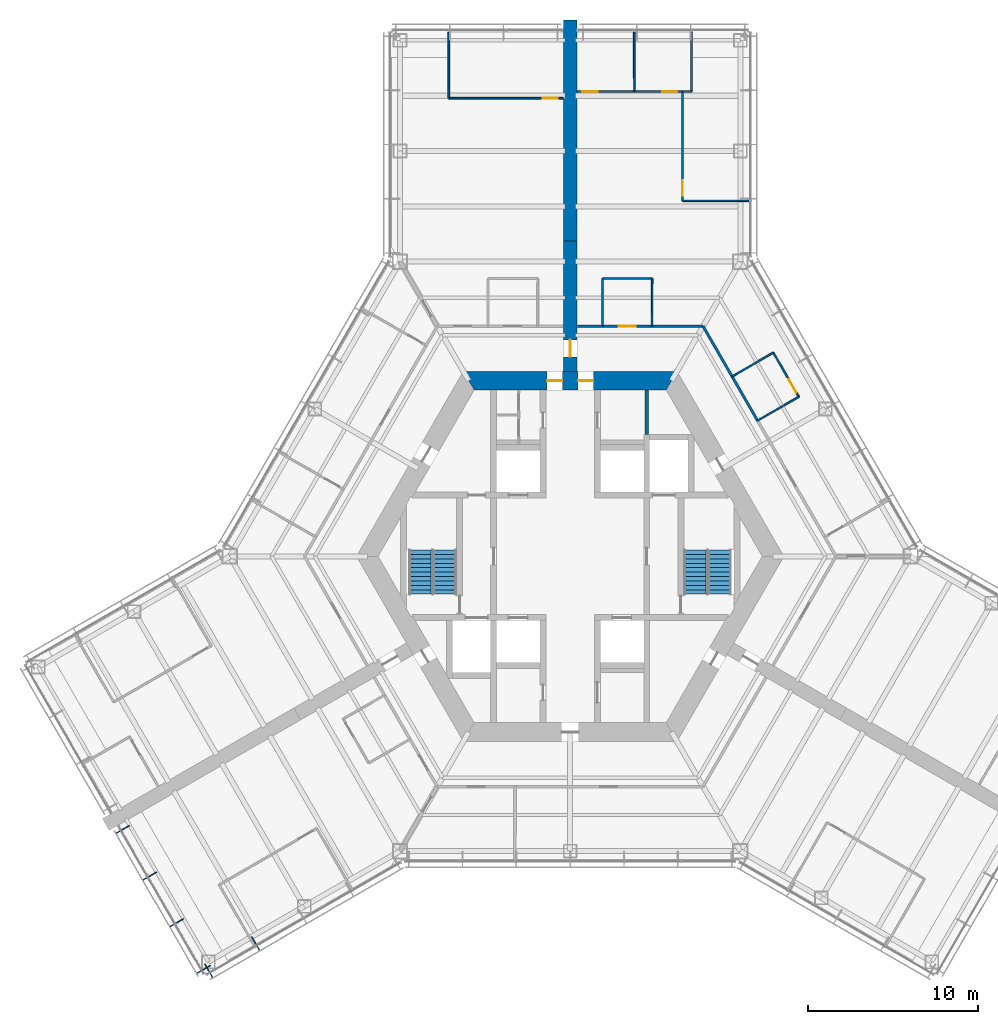
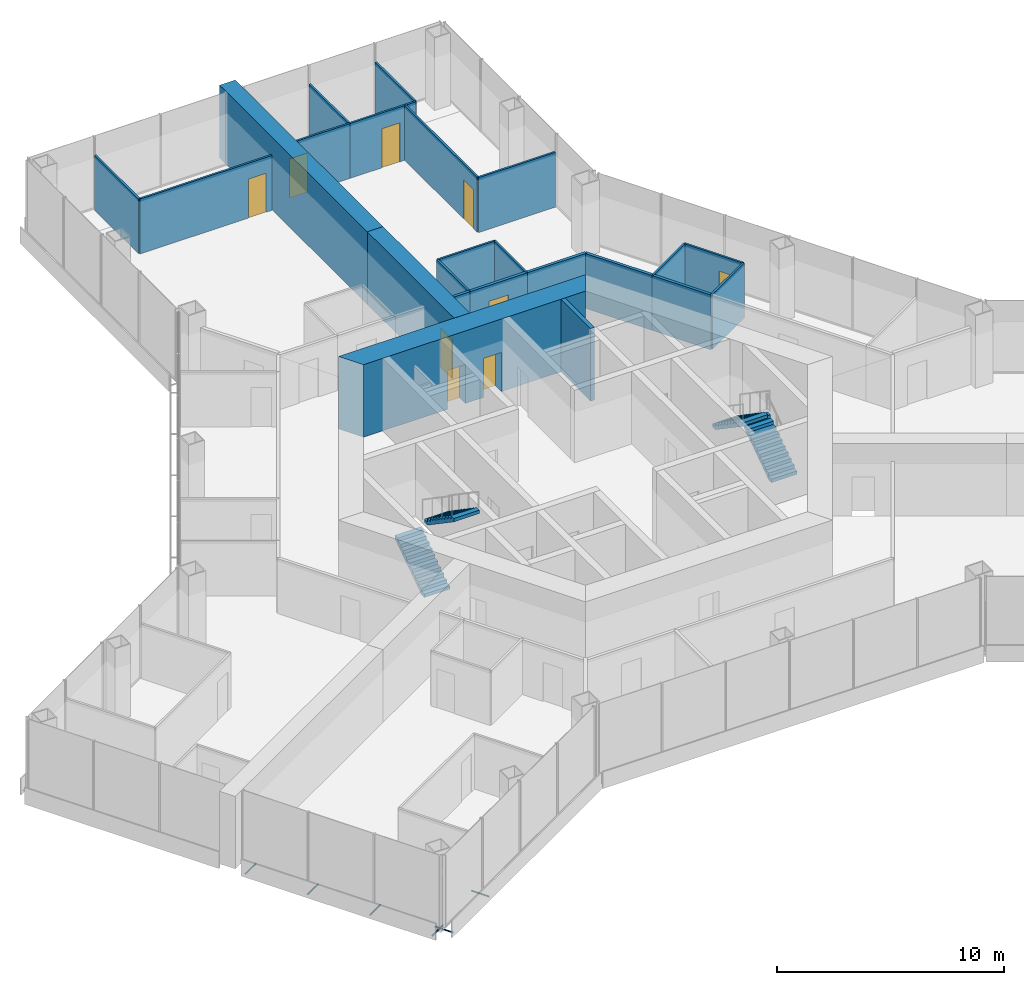
# One storey, part 15 of 18: 24 walls, 9 doors, 6 discrete accessories, 4 stair flights, 9 openings, 2 elements without a shape of their own.
"""IFC4 building model written with IfcOpenShell, lengths in metres."""

from ifc_helpers import new_model, si_unit, direction, frame, frame_2d, origin, origin_2d, place, context, subcontext, project, spatial, polyline, rectangle, hollow_circle, outline, extrude, material, layer, layer_set, material_profile, profile_set, type_object, element, fill, aggregate, save


model = new_model("IFC4")

# Units and contexts
model_context = context("Model", 3, precision=1e-05, world=origin(), true_north=direction((0.0, 1.0)))
body_context = subcontext(model_context, "Body", "Model", "MODEL_VIEW")
ifc_project = project(units=[si_unit("LENGTHUNIT", "METRE"), si_unit("AREAUNIT", "SQUARE_METRE"), si_unit("VOLUMEUNIT", "CUBIC_METRE"), si_unit("PLANEANGLEUNIT", "RADIAN"), si_unit("MASSUNIT", "GRAM", prefix="KILO")], contexts=[model_context])

# Site, building, storey
site_placement = place(None, origin())
site = spatial("IfcSite", under=ifc_project, at=site_placement, CompositionType="ELEMENT")
building_placement = place(site_placement, origin())
building = spatial("IfcBuilding", under=site, at=building_placement, Name="Kasaneha Research Tower", CompositionType="ELEMENT")
storey_placement = place(building_placement, frame((0.0, 0.0, 76.800048828125)))
storey = spatial("IfcBuildingStorey", under=building, at=storey_placement, Name="L19", CompositionType="ELEMENT", Elevation=76.800048828125)

# Wall, openings, doors
ifc_material_1 = material(Name="Concrete Fc80", Category="concrete")
ifc_layer_1 = layer(ifc_material_1, 1.10009765625)
ifc_layer_set_1 = layer_set([ifc_layer_1], Name="Core wall 1100 Fc80")
wall_type_1 = type_object("IfcWallType", Name="Core wall 1100 Fc80", PredefinedType="SHEAR", material=ifc_layer_set_1)
wall_1_placement = place(storey_placement, frame((5.961181640625, 10.324951171875, 0.0), z_axis=(0.0, 0.0, 1.0), x_axis=(-1.0, 0.0, 0.0)))
wall_1 = element("IfcWall", 1, at=wall_1_placement, inside=storey, type_object=wall_type_1, Name="Core wall 090 L19", PredefinedType="SHEAR", context=body_context, shape_type="SweptSolid", body=[
    extrude(outline(polyline([(-0.317626953125, -0.550048828125), (4.5986328125, -0.550048828125), (5.49853515625, -0.550048828125), (6.423583984375, -0.550048828125), (7.323486328125, -0.550048828125), (12.239990234375, -0.550048828125), (11.604736328125, 0.550048828125), (7.323486328125, 0.550048828125), (6.423583984375, 0.550048828125), (5.49853515625, 0.550048828125), (4.5986328125, 0.550048828125), (0.317626953125, 0.550048828125), (-0.317626953125, -0.550048828125)])), origin(), (0.0, 0.0, 1.0), 3.89990234375),
])
opening_1_placement = place(wall_1_placement, frame((6.423583984375, 0.0, 0.0)))
opening_1 = element("IfcOpeningElement", 2, at=opening_1_placement, cuts=wall_1, Name="Opening L19-D01", PredefinedType="OPENING", context=body_context, shape_type="SweptSolid", body=[
    extrude(rectangle(XDim=0.89990234375, YDim=2.10009765625, at=frame_2d((0.449951171875, 1.050048828125))), frame((0.0, 0.56005859375, 0.0), z_axis=(0.0, -1.0, 0.0), x_axis=(1.0, 0.0, 0.0)), (0.0, 0.0, 1.0), 1.1201171875),
])
opening_2_placement = place(wall_1_placement, frame((4.5986328125, 0.0, 0.0)))
opening_2 = element("IfcOpeningElement", 3, at=opening_2_placement, cuts=wall_1, Name="Opening L19-D02", PredefinedType="OPENING", context=body_context, shape_type="SweptSolid", body=[
    extrude(rectangle(XDim=0.89990234375, YDim=2.10009765625, at=frame_2d((0.449951171875, 1.050048828125))), frame((0.0, 0.56005859375, 0.0), z_axis=(0.0, -1.0, 0.0), x_axis=(1.0, 0.0, 0.0)), (0.0, 0.0, 1.0), 1.1201171875),
])
ifc_material_2 = material(Name="Steel", Category="steel")
door_type_1 = type_object("IfcDoorType", Name="Toilet door FD20 900x2100", OperationType="NOTDEFINED", PredefinedType="DOOR", material=ifc_material_2)
door_1_placement = place(opening_1_placement, origin())
door_1 = element("IfcDoor", 4, at=door_1_placement, inside=storey, type_object=door_type_1, Name="Core door north 1 L19-D01", OperationType="SINGLE_SWING_RIGHT", OverallHeight=2.10009765625, OverallWidth=0.89990234375, PredefinedType="DOOR", context=body_context, shape_type="SweptSolid", body=[
    extrude(rectangle(XDim=0.89990234375, YDim=2.10009765625, at=frame_2d((0.449951171875, 1.050048828125))), frame((0.0, 0.02490234375, 0.0), z_axis=(0.0, -1.0, 0.0), x_axis=(1.0, 0.0, 0.0)), (0.0, 0.0, 1.0), 0.050048828125),
])
fill(opening_1, door_1)
door_2_placement = place(opening_2_placement, origin())
door_2 = element("IfcDoor", 5, at=door_2_placement, inside=storey, type_object=door_type_1, Name="Core door north 2 L19-D02", OperationType="SINGLE_SWING_LEFT", OverallHeight=2.10009765625, OverallWidth=0.89990234375, PredefinedType="DOOR", context=body_context, shape_type="SweptSolid", body=[
    extrude(rectangle(XDim=0.89990234375, YDim=2.10009765625, at=frame_2d((0.449951171875, 1.050048828125))), frame((0.0, 0.02490234375, 0.0), z_axis=(0.0, -1.0, 0.0), x_axis=(1.0, 0.0, 0.0)), (0.0, 0.0, 1.0), 0.050048828125),
])
fill(opening_2, door_2)

# Walls
ifc_material_3 = material(Name="Gypsum board on steel studs, one layer each side", Category="steel")
ifc_layer_2 = layer(ifc_material_3, 0.10009765625)
ifc_layer_set_2 = layer_set([ifc_layer_2], Name="Office partition 100")
wall_type_2 = type_object("IfcWallType", Name="Office partition 100", PredefinedType="PARTITIONING", material=ifc_layer_set_2)
wall_2_placement = place(storey_placement, frame((1.89990234375, 16.324951171875, 0.0), z_axis=(0.0, 0.0, 1.0), x_axis=(1.0, 0.0, 0.0)))
element("IfcWall", 6, at=wall_2_placement, inside=storey, type_object=wall_type_2, Name="Office partition FAE08 L19", PredefinedType="PARTITIONING", context=body_context, shape_type="SweptSolid", body=[
    extrude(rectangle(XDim=2.9169921875, YDim=0.10009765625, at=frame_2d((1.45849609375, 0.0))), origin(), (0.0, 0.0, 1.0), 2.949951171875),
])
for number, where, z_axis, x_axis, name in (
    (7, (1.904541015625, 13.52490234375, 0.0), (0.0, 0.0, 1.0), (-0.001656637364, 0.999998627775, 0.0), "Office partition FAE09 L19"),
    (8, (4.81689453125, 16.324951171875, 0.0), (0.0, 0.0, 1.0), (-0.001569446145, -0.999998768419, 0.0), "Office partition FAE10 L19"),
    (9, (9.51513671875, 10.569091796875, 0.0), (0.0, 0.0, 1.0), (0.865255114713, 0.501331812737, 0.0), "Office partition FAE11 L19"),
):
    element("IfcWall", number, at=place(storey_placement, frame(where, z_axis=z_axis, x_axis=x_axis)), inside=storey, type_object=wall_type_2, Name=name, PredefinedType="PARTITIONING", context=body_context, shape_type="SweptSolid", body=[
        extrude(rectangle(XDim=2.800048828125, YDim=0.10009765625, at=frame_2d((1.39990234375, 0.0))), origin(), (0.0, 0.0, 1.0), 2.949951171875),
    ])

# Wall, opening, door
wall_3_placement = place(storey_placement, frame((11.93798828125, 11.972900390625, 0.0), z_axis=(0.0, 0.0, 1.0), x_axis=(0.50002537861, -0.866010750942, 0.0)))
wall_3 = element("IfcWall", 10, at=wall_3_placement, inside=storey, type_object=wall_type_2, Name="Office partition FAE12 L19", PredefinedType="PARTITIONING", context=body_context, shape_type="SweptSolid", body=[
    extrude(rectangle(XDim=2.999755859375, YDim=0.10009765625, at=frame_2d((1.5, 0.0))), origin(), (0.0, 0.0, 1.0), 2.949951171875),
])
opening_3_placement = place(wall_3_placement, frame((1.800048828125, 0.0, 0.0)))
opening_3 = element("IfcOpeningElement", 11, at=opening_3_placement, cuts=wall_3, Name="Opening L19-D27", PredefinedType="OPENING", context=body_context, shape_type="SweptSolid", body=[
    extrude(rectangle(XDim=0.89990234375, YDim=2.10009765625, at=frame_2d((0.449951171875, 1.050048828125))), frame((0.0, 0.06005859375, 0.0), z_axis=(0.0, -1.0, 0.0), x_axis=(1.0, 0.0, 0.0)), (0.0, 0.0, 1.0), 0.1201171875),
])
ifc_material_4 = material(Name="Timber veneer", Category="wood")
door_type_2 = type_object("IfcDoorType", Name="Office door 900x2100", OperationType="SINGLE_SWING_LEFT", PredefinedType="DOOR", material=ifc_material_4)
door_3_placement = place(opening_3_placement, origin())
door_3 = element("IfcDoor", 12, at=door_3_placement, inside=storey, type_object=door_type_2, Name="Pantry door L19-D27", OperationType="SINGLE_SWING_RIGHT", OverallHeight=2.10009765625, OverallWidth=0.89990234375, PredefinedType="DOOR", context=body_context, shape_type="SweptSolid", body=[
    extrude(rectangle(XDim=0.89990234375, YDim=2.10009765625, at=frame_2d((0.449951171875, 1.050048828125))), frame((0.0, 0.02490234375, 0.0), z_axis=(0.0, -1.0, 0.0), x_axis=(1.0, 0.0, 0.0)), (0.0, 0.0, 1.0), 0.050048828125),
])
fill(opening_3, door_3)

# Walls
wall_4_placement = place(storey_placement, frame((13.43798828125, 9.375, 0.0), z_axis=(0.0, 0.0, 1.0), x_axis=(-0.866817750494, -0.498625097071, 0.0)))
element("IfcWall", 13, at=wall_4_placement, inside=storey, type_object=wall_type_2, Name="Office partition FAE13 L19", PredefinedType="PARTITIONING", context=body_context, shape_type="SweptSolid", body=[
    extrude(rectangle(XDim=2.80029296875, YDim=0.10009765625, at=frame_2d((1.400146484375, 0.0))), origin(), (0.0, 0.0, 1.0), 2.949951171875),
])
wall_5_placement = place(storey_placement, frame((3.771728515625, 27.320556640625, 0.0), z_axis=(0.0, 0.0, 1.0), x_axis=(-0.001473269062, 0.999998914739, 0.0)))
element("IfcWall", 14, at=wall_5_placement, inside=storey, type_object=wall_type_2, Name="Office partition FAE14 L19", PredefinedType="PARTITIONING", context=body_context, shape_type="SweptSolid", body=[
    extrude(rectangle(XDim=3.47998046875, YDim=0.10009765625, at=frame_2d((1.739990234375, 0.0))), origin(), (0.0, 0.0, 1.0), 2.949951171875),
])
wall_6_placement = place(storey_placement, frame((7.13330078125, 27.320556640625, 0.0), z_axis=(0.0, 0.0, 1.0), x_axis=(-1.0, 0.0, 0.0)))
element("IfcWall", 15, at=wall_6_placement, inside=storey, type_object=wall_type_2, Name="Office partition FAE15 L19", PredefinedType="PARTITIONING", context=body_context, shape_type="SweptSolid", body=[
    extrude(rectangle(XDim=0.538330078125, YDim=0.10009765625, at=frame_2d((0.26904296875, 0.0))), origin(), (0.0, 0.0, 1.0), 2.949951171875),
])
wall_7_placement = place(storey_placement, frame((7.13330078125, 30.800537109375, 0.0), z_axis=(0.0, 0.0, 1.0), x_axis=(0.0, -1.0, 0.0)))
element("IfcWall", 16, at=wall_7_placement, inside=storey, type_object=wall_type_2, Name="Office partition FAE16 L19", PredefinedType="PARTITIONING", context=body_context, shape_type="SweptSolid", body=[
    extrude(rectangle(XDim=3.47998046875, YDim=0.10009765625, at=frame_2d((1.739990234375, 0.0))), origin(), (0.0, 0.0, 1.0), 2.949951171875),
])

# Wall, opening, door
wall_8_placement = place(storey_placement, frame((6.6044921875, 27.320556640625, 0.0), z_axis=(0.0, 0.0, 1.0), x_axis=(-0.999998801045, 0.001548518446, 0.0)))
wall_8 = element("IfcWall", 17, at=wall_8_placement, inside=storey, type_object=wall_type_2, Name="Office partition FAE17 L19", PredefinedType="PARTITIONING", context=body_context, shape_type="SweptSolid", body=[
    extrude(rectangle(XDim=2.837890625, YDim=0.10009765625, at=frame_2d((1.4189453125, 0.0))), origin(), (0.0, 0.0, 1.0), 2.949951171875),
])
opening_4_placement = place(wall_8_placement, frame((0.300048828125, 0.0, 0.0)))
opening_4 = element("IfcOpeningElement", 18, at=opening_4_placement, cuts=wall_8, Name="Opening L19-D28", PredefinedType="OPENING", context=body_context, shape_type="SweptSolid", body=[
    extrude(rectangle(XDim=0.89990234375, YDim=2.10009765625, at=frame_2d((0.449951171875, 1.050048828125))), frame((0.0, 0.06005859375, 0.0), z_axis=(0.0, -1.0, 0.0), x_axis=(1.0, 0.0, 0.0)), (0.0, 0.0, 1.0), 0.1201171875),
])
door_4_placement = place(opening_4_placement, origin())
door_4 = element("IfcDoor", 19, at=door_4_placement, inside=storey, type_object=door_type_2, Name="Manager's office door L19-D28", OperationType="SINGLE_SWING_LEFT", OverallHeight=2.10009765625, OverallWidth=0.89990234375, PredefinedType="DOOR", context=body_context, shape_type="SweptSolid", body=[
    extrude(rectangle(XDim=0.89990234375, YDim=2.10009765625, at=frame_2d((0.449951171875, 1.050048828125))), frame((0.0, 0.02490234375, 0.0), z_axis=(0.0, -1.0, 0.0), x_axis=(1.0, 0.0, 0.0)), (0.0, 0.0, 1.0), 0.050048828125),
])
fill(opening_4, door_4)

wall_9_placement = place(storey_placement, frame((3.7666015625, 27.324951171875, 0.0), z_axis=(0.0, 0.0, 1.0), x_axis=(-0.999999137883, -0.001313100706, 0.0)))
wall_9 = element("IfcWall", 20, at=wall_9_placement, inside=storey, type_object=wall_type_2, Name="Office partition FAE18 L19", PredefinedType="PARTITIONING", context=body_context, shape_type="SweptSolid", body=[
    extrude(rectangle(XDim=3.3466796875, YDim=0.10009765625, at=frame_2d((1.67333984375, 0.0))), origin(), (0.0, 0.0, 1.0), 2.949951171875),
])
opening_5_placement = place(wall_9_placement, frame((2.146728515625, 0.0, 0.0)))
opening_5 = element("IfcOpeningElement", 21, at=opening_5_placement, cuts=wall_9, Name="Opening L19-D29", PredefinedType="OPENING", context=body_context, shape_type="SweptSolid", body=[
    extrude(rectangle(XDim=0.89990234375, YDim=2.10009765625, at=frame_2d((0.449951171875, 1.050048828125))), frame((0.0, 0.06005859375, 0.0), z_axis=(0.0, -1.0, 0.0), x_axis=(1.0, 0.0, 0.0)), (0.0, 0.0, 1.0), 0.1201171875),
])
door_5_placement = place(opening_5_placement, origin())
door_5 = element("IfcDoor", 22, at=door_5_placement, inside=storey, type_object=door_type_2, Name="Manager's office door L19-D29", OperationType="SINGLE_SWING_RIGHT", OverallHeight=2.10009765625, OverallWidth=0.89990234375, PredefinedType="DOOR", context=body_context, shape_type="SweptSolid", body=[
    extrude(rectangle(XDim=0.89990234375, YDim=2.10009765625, at=frame_2d((0.449951171875, 1.050048828125))), frame((0.0, 0.02490234375, 0.0), z_axis=(0.0, -1.0, 0.0), x_axis=(1.0, 0.0, 0.0)), (0.0, 0.0, 1.0), 0.050048828125),
])
fill(opening_5, door_5)

wall_10_placement = place(storey_placement, frame((6.60009765625, 20.89111328125, 0.0), z_axis=(0.0, 0.0, 1.0), x_axis=(0.000683500885, 0.999999766413, 0.0)))
wall_10 = element("IfcWall", 23, at=wall_10_placement, inside=storey, type_object=wall_type_2, Name="Office partition FAE19 L19", PredefinedType="PARTITIONING", context=body_context, shape_type="SweptSolid", body=[
    extrude(rectangle(XDim=6.429443359375, YDim=0.10009765625, at=frame_2d((3.21484375, 0.0))), origin(), (0.0, 0.0, 1.0), 2.949951171875),
])
opening_6_placement = place(wall_10_placement, frame((0.300048828125, 0.0, 0.0)))
opening_6 = element("IfcOpeningElement", 24, at=opening_6_placement, cuts=wall_10, Name="Opening L19-D30", PredefinedType="OPENING", context=body_context, shape_type="SweptSolid", body=[
    extrude(rectangle(XDim=0.89990234375, YDim=2.10009765625, at=frame_2d((0.449951171875, 1.050048828125))), frame((0.0, 0.06005859375, 0.0), z_axis=(0.0, -1.0, 0.0), x_axis=(1.0, 0.0, 0.0)), (0.0, 0.0, 1.0), 0.1201171875),
])
door_6_placement = place(opening_6_placement, origin())
door_6 = element("IfcDoor", 25, at=door_6_placement, inside=storey, type_object=door_type_2, Name="Meeting room door L19-D30", OperationType="SINGLE_SWING_LEFT", OverallHeight=2.10009765625, OverallWidth=0.89990234375, PredefinedType="DOOR", context=body_context, shape_type="SweptSolid", body=[
    extrude(rectangle(XDim=0.89990234375, YDim=2.10009765625, at=frame_2d((0.449951171875, 1.050048828125))), frame((0.0, 0.02490234375, 0.0), z_axis=(0.0, -1.0, 0.0), x_axis=(1.0, 0.0, 0.0)), (0.0, 0.0, 1.0), 0.050048828125),
])
fill(opening_6, door_6)

# Walls
wall_11_placement = place(storey_placement, frame((10.5, 20.89111328125, 0.0), z_axis=(0.0, 0.0, 1.0), x_axis=(-1.0, 0.0, 0.0)))
element("IfcWall", 26, at=wall_11_placement, inside=storey, type_object=wall_type_2, Name="Office partition FAE20 L19", PredefinedType="PARTITIONING", context=body_context, shape_type="SweptSolid", body=[
    extrude(rectangle(XDim=3.89990234375, YDim=0.10009765625, at=frame_2d((1.949951171875, 0.0))), origin(), (0.0, 0.0, 1.0), 2.949951171875),
])
wall_12_placement = place(storey_placement, frame((-7.13330078125, 26.92041015625, 0.0), z_axis=(0.0, 0.0, 1.0), x_axis=(0.0, 1.0, 0.0)))
element("IfcWall", 27, at=wall_12_placement, inside=storey, type_object=wall_type_2, Name="Office partition FAW07 L19", PredefinedType="PARTITIONING", context=body_context, shape_type="SweptSolid", body=[
    extrude(rectangle(XDim=3.880126953125, YDim=0.10009765625, at=frame_2d((1.93994140625, 0.0))), origin(), (0.0, 0.0, 1.0), 2.949951171875),
])

# Wall, opening, door
wall_13_placement = place(storey_placement, frame((-0.419921875, 26.92041015625, 0.0), z_axis=(0.0, 0.0, 1.0), x_axis=(-1.0, 0.0, 0.0)))
wall_13 = element("IfcWall", 28, at=wall_13_placement, inside=storey, type_object=wall_type_2, Name="Office partition FAW08 L19", PredefinedType="PARTITIONING", context=body_context, shape_type="SweptSolid", body=[
    extrude(rectangle(XDim=6.71337890625, YDim=0.10009765625, at=frame_2d((3.356689453125, 0.0))), origin(), (0.0, 0.0, 1.0), 2.949951171875),
])
opening_7_placement = place(wall_13_placement, frame((0.300048828125, 0.0, 0.0)))
opening_7 = element("IfcOpeningElement", 29, at=opening_7_placement, cuts=wall_13, Name="Opening L19-D34", PredefinedType="OPENING", context=body_context, shape_type="SweptSolid", body=[
    extrude(rectangle(XDim=0.89990234375, YDim=2.10009765625, at=frame_2d((0.449951171875, 1.050048828125))), frame((0.0, 0.06005859375, 0.0), z_axis=(0.0, -1.0, 0.0), x_axis=(1.0, 0.0, 0.0)), (0.0, 0.0, 1.0), 0.1201171875),
])
door_7_placement = place(opening_7_placement, origin())
door_7 = element("IfcDoor", 30, at=door_7_placement, inside=storey, type_object=door_type_2, Name="Meeting room door L19-D34", OperationType="SINGLE_SWING_LEFT", OverallHeight=2.10009765625, OverallWidth=0.89990234375, PredefinedType="DOOR", context=body_context, shape_type="SweptSolid", body=[
    extrude(rectangle(XDim=0.89990234375, YDim=2.10009765625, at=frame_2d((0.449951171875, 1.050048828125))), frame((0.0, 0.02490234375, 0.0), z_axis=(0.0, -1.0, 0.0), x_axis=(1.0, 0.0, 0.0)), (0.0, 0.0, 1.0), 0.050048828125),
])
fill(opening_7, door_7)

# Wall
ifc_material_5 = material(Name="Concrete block", Category="concrete")
ifc_layer_3 = layer(ifc_material_5, 0.199951171875)
ifc_layer_set_3 = layer_set([ifc_layer_3], Name="Riser enclosure wall 200")
wall_type_3 = type_object("IfcWallType", Name="Riser enclosure wall 200", PredefinedType="STANDARD", material=ifc_layer_set_3)
wall_14_placement = place(storey_placement, frame((4.5, 7.175048828125, 0.0), z_axis=(0.0, 0.0, 1.0), x_axis=(0.0, 1.0, 0.0)))
element("IfcWall", 31, at=wall_14_placement, inside=storey, type_object=wall_type_3, Name="Riser enclosure wall L19", PredefinedType="STANDARD", context=body_context, shape_type="SweptSolid", body=[
    extrude(rectangle(XDim=2.599853515625, YDim=0.199951171875, at=frame_2d((1.2998046875, 0.0))), origin(), (0.0, 0.0, 1.0), 3.89990234375),
])

# Wall, opening, door
ifc_material_6 = material(Name="Concrete Fc80", Category="concrete")
ifc_layer_4 = layer(ifc_material_6, 0.800048828125)
ifc_layer_set_4 = layer_set([ifc_layer_4], Name="Spine wall 800 Fc80")
wall_type_4 = type_object("IfcWallType", Name="Spine wall 800 Fc80", PredefinedType="SHEAR", material=ifc_layer_set_4)
wall_15_placement = place(storey_placement, frame((0.0, 10.875, 0.0), z_axis=(0.0, 0.0, 1.0), x_axis=(0.0, 1.0, 0.0)))
wall_15 = element("IfcWall", 32, at=wall_15_placement, inside=storey, type_object=wall_type_4, Name="Spine wall A L19", PredefinedType="SHEAR", context=body_context, shape_type="SweptSolid", body=[
    extrude(rectangle(XDim=7.6455078125, YDim=0.800048828125, at=frame_2d((3.82275390625, 0.0))), origin(), (0.0, 0.0, 1.0), 3.89990234375),
])
opening_8_placement = place(wall_15_placement, frame((0.85009765625, 0.0, 0.0)))
opening_8 = element("IfcOpeningElement", 33, at=opening_8_placement, cuts=wall_15, Name="Opening L19-D17", PredefinedType="OPENING", context=body_context, shape_type="SweptSolid", body=[
    extrude(rectangle(XDim=1.0, YDim=2.10009765625, at=frame_2d((0.5, 1.050048828125))), frame((0.0, 0.41015625, 0.0), z_axis=(0.0, -1.0, 0.0), x_axis=(1.0, 0.0, 0.0)), (0.0, 0.0, 1.0), 0.820068359375),
])
ifc_material_7 = material(Name="Steel", Category="steel")
door_type_3 = type_object("IfcDoorType", Name="Specified fire door FD60 1000x2100", OperationType="NOTDEFINED", PredefinedType="DOOR", material=ifc_material_7)
door_8_placement = place(opening_8_placement, origin())
door_8 = element("IfcDoor", 34, at=door_8_placement, inside=storey, type_object=door_type_3, Name="Spine doorway A L19-D17", OperationType="SINGLE_SWING_LEFT", OverallHeight=2.10009765625, OverallWidth=1.0, PredefinedType="DOOR", context=body_context, shape_type="SweptSolid", body=[
    extrude(rectangle(XDim=1.0, YDim=2.10009765625, at=frame_2d((0.5, 1.050048828125))), frame((0.0, 0.02490234375, 0.0), z_axis=(0.0, -1.0, 0.0), x_axis=(1.0, 0.0, 0.0)), (0.0, 0.0, 1.0), 0.050048828125),
])
fill(opening_8, door_8)

# Wall
wall_16_placement = place(storey_placement, frame((0.0, 18.5205078125, 0.0), z_axis=(0.0, 0.0, 1.0), x_axis=(0.0, 1.0, 0.0)))
element("IfcWall", 35, at=wall_16_placement, inside=storey, type_object=wall_type_4, Name="Spine wall A wing L19", PredefinedType="SHEAR", context=body_context, shape_type="SweptSolid", body=[
    extrude(rectangle(XDim=13.0, YDim=0.800048828125, at=frame_2d((6.5, 0.0))), origin(), (0.0, 0.0, 1.0), 3.89990234375),
])

# Wall, opening, door
ifc_material_8 = material(Name="Gypsum board on steel studs, two layers each side", Category="steel")
ifc_layer_5 = layer(ifc_material_8, 0.14990234375)
ifc_layer_set_5 = layer_set([ifc_layer_5], Name="Suite partition 150")
wall_type_5 = type_object("IfcWallType", Name="Suite partition 150", PredefinedType="PARTITIONING", material=ifc_layer_set_5)
wall_17_placement = place(storey_placement, frame((1.89501953125, 13.52490234375, 0.0), z_axis=(0.0, 0.0, 1.0), x_axis=(1.0, 0.0, 0.0)))
wall_17 = element("IfcWall", 36, at=wall_17_placement, inside=storey, type_object=wall_type_5, Name="Suite partition FAE01 L19", PredefinedType="PARTITIONING", context=body_context, shape_type="SweptSolid", body=[
    extrude(rectangle(XDim=2.927001953125, YDim=0.14990234375, at=frame_2d((1.46337890625, 0.0))), origin(), (0.0, 0.0, 1.0), 2.949951171875),
])
opening_9_placement = place(wall_17_placement, frame((0.96337890625, 0.0, 0.0)))
opening_9 = element("IfcOpeningElement", 37, at=opening_9_placement, cuts=wall_17, Name="Opening L19-D25", PredefinedType="OPENING", context=body_context, shape_type="SweptSolid", body=[
    extrude(rectangle(XDim=1.0, YDim=2.10009765625, at=frame_2d((0.5, 1.050048828125))), frame((0.0, 0.0849609375, 0.0), z_axis=(0.0, -1.0, 0.0), x_axis=(1.0, 0.0, 0.0)), (0.0, 0.0, 1.0), 0.169921875),
])
ifc_material_9 = material(Name="Steel", Category="steel")
door_type_4 = type_object("IfcDoorType", Name="Suite entrance door FD60 1000x2100", OperationType="NOTDEFINED", PredefinedType="DOOR", material=ifc_material_9)
door_9_placement = place(opening_9_placement, origin())
door_9 = element("IfcDoor", 38, at=door_9_placement, inside=storey, type_object=door_type_4, Name="Suite entrance door L19-D25", OperationType="SINGLE_SWING_LEFT", OverallHeight=2.10009765625, OverallWidth=1.0, PredefinedType="DOOR", context=body_context, shape_type="SweptSolid", body=[
    extrude(rectangle(XDim=1.0, YDim=2.10009765625, at=frame_2d((0.5, 1.050048828125))), frame((0.0, 0.02490234375, 0.0), z_axis=(0.0, -1.0, 0.0), x_axis=(1.0, 0.0, 0.0)), (0.0, 0.0, 1.0), 0.050048828125),
])
fill(opening_9, door_9)

# Walls
wall_18_placement = place(storey_placement, frame((9.510498046875, 10.577392578125, 0.0), z_axis=(0.0, 0.0, 1.0), x_axis=(0.499977562641, -0.866038357612, 0.0)))
element("IfcWall", 39, at=wall_18_placement, inside=storey, type_object=wall_type_5, Name="Suite partition FAE02 L19", PredefinedType="PARTITIONING", context=body_context, shape_type="SweptSolid", body=[
    extrude(rectangle(XDim=3.010009765625, YDim=0.14990234375, at=frame_2d((1.5048828125, 0.0))), origin(), (0.0, 0.0, 1.0), 2.949951171875),
])
wall_19_placement = place(storey_placement, frame((0.419921875, 13.52490234375, 0.0), z_axis=(0.0, 0.0, 1.0), x_axis=(1.0, 0.0, 0.0)))
element("IfcWall", 40, at=wall_19_placement, inside=storey, type_object=wall_type_5, Name="Suite partition FAE04 L19", PredefinedType="PARTITIONING", context=body_context, shape_type="SweptSolid", body=[
    extrude(rectangle(XDim=1.484619140625, YDim=0.14990234375, at=frame_2d((0.7421875, 0.0))), origin(), (0.0, 0.0, 1.0), 2.949951171875),
])
wall_20_placement = place(storey_placement, frame((4.8125, 13.52490234375, 0.0), z_axis=(0.0, 0.0, 1.0), x_axis=(1.0, 0.0, 0.0)))
element("IfcWall", 41, at=wall_20_placement, inside=storey, type_object=wall_type_5, Name="Suite partition FAE05 L19", PredefinedType="PARTITIONING", context=body_context, shape_type="SweptSolid", body=[
    extrude(rectangle(XDim=2.99609375, YDim=0.14990234375, at=frame_2d((1.498046875, 0.0))), origin(), (0.0, 0.0, 1.0), 2.949951171875),
])
wall_21_placement = place(storey_placement, frame((7.80859375, 13.52490234375, 0.0), z_axis=(0.0, 0.0, 1.0), x_axis=(0.500001088571, -0.866024775297, 0.0)))
element("IfcWall", 42, at=wall_21_placement, inside=storey, type_object=wall_type_5, Name="Suite partition FAE06 L19", PredefinedType="PARTITIONING", context=body_context, shape_type="SweptSolid", body=[
    extrude(rectangle(XDim=3.4130859375, YDim=0.14990234375, at=frame_2d((1.70654296875, 0.0))), origin(), (0.0, 0.0, 1.0), 2.949951171875),
])

# Stair, stair flights
ifc_material_10 = material(Name="Concrete Fc24", Category="concrete")
stair_type = type_object("IfcStairType", Name="Half-turn stair 22 risers", PredefinedType="HALF_TURN_STAIR", material=ifc_material_10)
stair_1_placement = place(storey_placement, origin())
stair_1 = element("IfcStair", 43, at=stair_1_placement, inside=storey, type_object=stair_type, Name="Stair 1 L19", PredefinedType="HALF_TURN_STAIR")
ifc_material_11 = material(Name="Concrete Fc24", Category="concrete")
stair_flight_type = type_object("IfcStairFlightType", Name="Stair flight 11 risers 177.3", PredefinedType="STRAIGHT", material=ifc_material_11)
stair_flight_1_placement = place(storey_placement, frame((8.824951171875, -2.22509765625, 0.0), z_axis=(0.0, 0.0, 1.0), x_axis=(0.0, 1.0, 0.0)))
stair_flight_1 = element("IfcStairFlight", 44, at=stair_flight_1_placement, type_object=stair_flight_type, Name="ST1-22R flight 1", NumberOfRisers=11, NumberOfTreads=10, PredefinedType="STRAIGHT", RiserHeight=0.177272727, TreadLength=0.26, context=body_context, shape_type="SweptSolid", body=[
    extrude(outline(polyline([(0.0, 0.0), (0.0, 0.17724609375), (0.260009765625, 0.17724609375), (0.260009765625, 0.3544921875), (0.52001953125, 0.3544921875), (0.52001953125, 0.53173828125), (0.780029296875, 0.53173828125), (0.780029296875, 0.708984375), (1.0400390625, 0.708984375), (1.0400390625, 0.886474609375), (1.300048828125, 0.886474609375), (1.300048828125, 1.063720703125), (1.56005859375, 1.063720703125), (1.56005859375, 1.240966796875), (1.820068359375, 1.240966796875), (1.820068359375, 1.418212890625), (2.080078125, 1.418212890625), (2.080078125, 1.595458984375), (2.340087890625, 1.595458984375), (2.340087890625, 1.772705078125), (2.60009765625, 1.772705078125), (2.60009765625, 1.949951171875), (2.60009765625, 1.59130859375), (0.26611328125, 0.0), (0.0, 0.0)])), frame((0.0, 0.64990234375, 0.0), z_axis=(0.0, -1.0, 0.0), x_axis=(1.0, 0.0, 0.0)), (0.0, 0.0, 1.0), 1.300048828125),
])
stair_flight_2_placement = place(storey_placement, frame((7.324951171875, 0.375, 1.949951171875), z_axis=(0.0, 0.0, 1.0), x_axis=(0.0, -1.0, 0.0)))
stair_flight_2 = element("IfcStairFlight", 45, at=stair_flight_2_placement, type_object=stair_flight_type, Name="ST1-22R flight 2", NumberOfRisers=11, NumberOfTreads=10, PredefinedType="STRAIGHT", RiserHeight=0.177272727, TreadLength=0.26, context=body_context, shape_type="SweptSolid", body=[
    extrude(outline(polyline([(0.0, 0.0), (0.0, 0.17724609375), (0.260009765625, 0.17724609375), (0.260009765625, 0.3544921875), (0.52001953125, 0.3544921875), (0.52001953125, 0.53173828125), (0.780029296875, 0.53173828125), (0.780029296875, 0.708984375), (1.0400390625, 0.708984375), (1.0400390625, 0.886474609375), (1.300048828125, 0.886474609375), (1.300048828125, 1.063720703125), (1.56005859375, 1.063720703125), (1.56005859375, 1.240966796875), (1.820068359375, 1.240966796875), (1.820068359375, 1.418212890625), (2.080078125, 1.418212890625), (2.080078125, 1.595458984375), (2.340087890625, 1.595458984375), (2.340087890625, 1.772705078125), (2.60009765625, 1.772705078125), (2.60009765625, 1.949951171875), (2.60009765625, 1.59130859375), (0.26611328125, 0.0), (0.0, 0.0)])), frame((0.0, 0.64990234375, 0.0), z_axis=(0.0, -1.0, 0.0), x_axis=(1.0, 0.0, 0.0)), (0.0, 0.0, 1.0), 1.300048828125),
])
aggregate(stair_1, [stair_flight_1, stair_flight_2])

stair_2_placement = place(storey_placement, origin())
stair_2 = element("IfcStair", 46, at=stair_2_placement, inside=storey, type_object=stair_type, Name="Stair 2 L19", PredefinedType="HALF_TURN_STAIR")
stair_flight_3_placement = place(storey_placement, frame((-8.824951171875, -2.22509765625, 0.0), z_axis=(0.0, 0.0, 1.0), x_axis=(0.0, 1.0, 0.0)))
stair_flight_3 = element("IfcStairFlight", 47, at=stair_flight_3_placement, type_object=stair_flight_type, Name="ST2-22R flight 1", NumberOfRisers=11, NumberOfTreads=10, PredefinedType="STRAIGHT", RiserHeight=0.177272727, TreadLength=0.26, context=body_context, shape_type="SweptSolid", body=[
    extrude(outline(polyline([(0.0, 0.0), (0.0, 0.17724609375), (0.260009765625, 0.17724609375), (0.260009765625, 0.3544921875), (0.52001953125, 0.3544921875), (0.52001953125, 0.53173828125), (0.780029296875, 0.53173828125), (0.780029296875, 0.708984375), (1.0400390625, 0.708984375), (1.0400390625, 0.886474609375), (1.300048828125, 0.886474609375), (1.300048828125, 1.063720703125), (1.56005859375, 1.063720703125), (1.56005859375, 1.240966796875), (1.820068359375, 1.240966796875), (1.820068359375, 1.418212890625), (2.080078125, 1.418212890625), (2.080078125, 1.595458984375), (2.340087890625, 1.595458984375), (2.340087890625, 1.772705078125), (2.60009765625, 1.772705078125), (2.60009765625, 1.949951171875), (2.60009765625, 1.59130859375), (0.26611328125, 0.0), (0.0, 0.0)])), frame((0.0, 0.64990234375, 0.0), z_axis=(0.0, -1.0, 0.0), x_axis=(1.0, 0.0, 0.0)), (0.0, 0.0, 1.0), 1.300048828125),
])
stair_flight_4_placement = place(storey_placement, frame((-7.324951171875, 0.375, 1.949951171875), z_axis=(0.0, 0.0, 1.0), x_axis=(0.0, -1.0, 0.0)))
stair_flight_4 = element("IfcStairFlight", 48, at=stair_flight_4_placement, type_object=stair_flight_type, Name="ST2-22R flight 2", NumberOfRisers=11, NumberOfTreads=10, PredefinedType="STRAIGHT", RiserHeight=0.177272727, TreadLength=0.26, context=body_context, shape_type="SweptSolid", body=[
    extrude(outline(polyline([(0.0, 0.0), (0.0, 0.17724609375), (0.260009765625, 0.17724609375), (0.260009765625, 0.3544921875), (0.52001953125, 0.3544921875), (0.52001953125, 0.53173828125), (0.780029296875, 0.53173828125), (0.780029296875, 0.708984375), (1.0400390625, 0.708984375), (1.0400390625, 0.886474609375), (1.300048828125, 0.886474609375), (1.300048828125, 1.063720703125), (1.56005859375, 1.063720703125), (1.56005859375, 1.240966796875), (1.820068359375, 1.240966796875), (1.820068359375, 1.418212890625), (2.080078125, 1.418212890625), (2.080078125, 1.595458984375), (2.340087890625, 1.595458984375), (2.340087890625, 1.772705078125), (2.60009765625, 1.772705078125), (2.60009765625, 1.949951171875), (2.60009765625, 1.59130859375), (0.26611328125, 0.0), (0.0, 0.0)])), frame((0.0, 0.64990234375, 0.0), z_axis=(0.0, -1.0, 0.0), x_axis=(1.0, 0.0, 0.0)), (0.0, 0.0, 1.0), 1.300048828125),
])
aggregate(stair_2, [stair_flight_3, stair_flight_4])

# Discrete accessories
ifc_material_12 = material(Name="Steel STK400", Category="steel")
ifc_material_profile = material_profile(ifc_material_12, hollow_circle(Radius=0.0380859375, WallThickness=0.00390625, at=origin_2d()), Name="CHS-76.3x4.0")
ifc_profile_set = profile_set([ifc_material_profile], Name="Steel STK400")
discrete_accessory_type = type_object("IfcDiscreteAccessoryType", Name="Screen bracket CHS-76.3x4.0", PredefinedType="BRACKET", material=ifc_profile_set)
discrete_accessory_1_placement = place(storey_placement, frame((-21.474853515625, -23.945556640625, -0.300048828125), z_axis=(0.500021113727, -0.866013213425, 0.0), x_axis=(0.866013213425, 0.500021113727, 0.0)))
element("IfcDiscreteAccessory", 49, at=discrete_accessory_1_placement, inside=storey, type_object=discrete_accessory_type, Name="Screen bracket 1", PredefinedType="BRACKET", context=body_context, shape_type="SweptSolid", body=[
    extrude(hollow_circle(Radius=0.0380859375, WallThickness=0.00390625, at=origin_2d()), origin(), (0.0, 0.0, 1.0), 0.919921875),
])
for number, where, z_axis, x_axis, name in (
    (50, (-18.716796875, -22.35302734375, -0.300048828125), (0.500105201737, -0.865964657013, 0.0), (0.865964657013, 0.500105201737, 0.0), "Screen bracket 2"),
    (51, (-25.88330078125, -15.809814453125, -0.300048828125), (-0.866079547155, -0.499906209203, 0.0), (0.499906209203, -0.866079547155, 0.0), "Screen bracket 1"),
):
    element("IfcDiscreteAccessory", number, at=place(storey_placement, frame(where, z_axis=z_axis, x_axis=x_axis)), inside=storey, type_object=discrete_accessory_type, Name=name, PredefinedType="BRACKET", context=body_context, shape_type="SweptSolid", body=[
        extrude(hollow_circle(Radius=0.0380859375, WallThickness=0.00390625, at=origin_2d()), origin(), (0.0, 0.0, 1.0), 0.920166015625),
    ])
discrete_accessory_2_placement = place(storey_placement, frame((-24.300048828125, -18.55224609375, -0.300048828125), z_axis=(-0.866013213425, -0.500021113727, 0.0), x_axis=(0.500021113727, -0.866013213425, 0.0)))
element("IfcDiscreteAccessory", 52, at=discrete_accessory_2_placement, inside=storey, type_object=discrete_accessory_type, Name="Screen bracket 2", PredefinedType="BRACKET", context=body_context, shape_type="SweptSolid", body=[
    extrude(hollow_circle(Radius=0.0380859375, WallThickness=0.00390625, at=origin_2d()), origin(), (0.0, 0.0, 1.0), 0.919921875),
])
for number, where, z_axis, x_axis, name in (
    (53, (-22.716552734375, -21.294677734375, -0.300048828125), (-0.866079547155, -0.499906209203, 0.0), (0.499906209203, -0.866079547155, 0.0), "Screen bracket 3"),
    (54, (-21.13330078125, -24.037109375, -0.300048828125), (-0.866079547155, -0.499906209203, 0.0), (0.499906209203, -0.866079547155, 0.0), "Screen bracket 4"),
):
    element("IfcDiscreteAccessory", number, at=place(storey_placement, frame(where, z_axis=z_axis, x_axis=x_axis)), inside=storey, type_object=discrete_accessory_type, Name=name, PredefinedType="BRACKET", context=body_context, shape_type="SweptSolid", body=[
        extrude(hollow_circle(Radius=0.0380859375, WallThickness=0.00390625, at=origin_2d()), origin(), (0.0, 0.0, 1.0), 0.920166015625),
    ])

save(model, "model.ifc")
